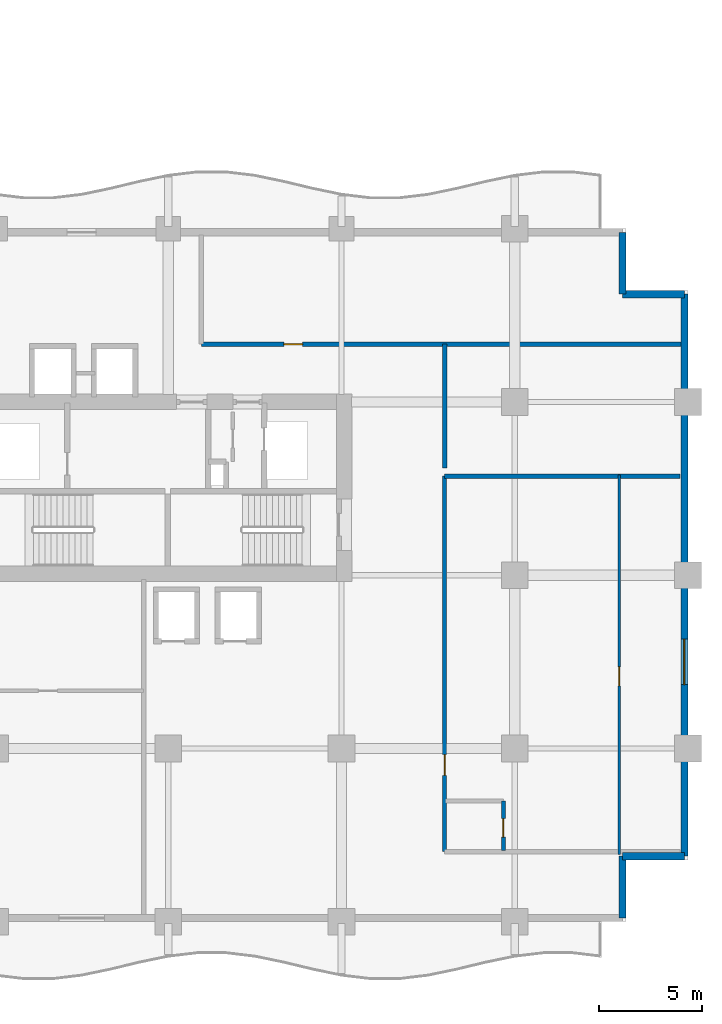
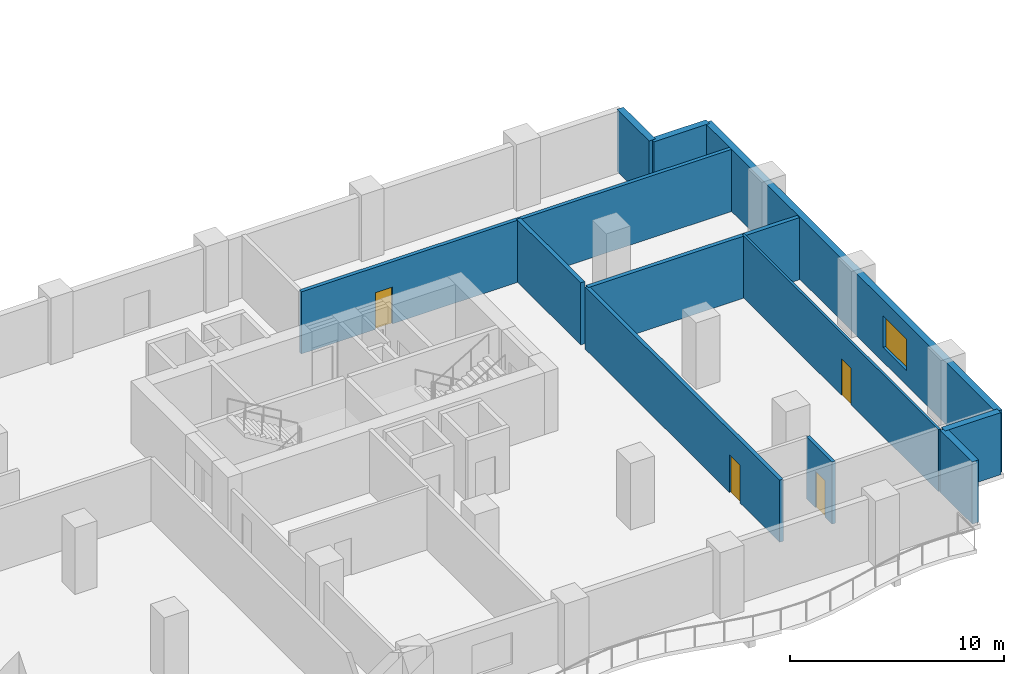
# One storey, part 8 of 15: 11 walls, 4 doors, 1 window, 5 openings.
"""IFC4 building model written with IfcOpenShell, lengths in metres."""

from ifc_helpers import new_model, si_unit, direction, frame, frame_2d, origin, place, context, subcontext, project, spatial, rectangle, extrude, material, layer, layer_set, type_object, element, fill, save


model = new_model("IFC4")

# Units and contexts
model_context = context("Model", 3, precision=1e-05, world=origin(), true_north=direction((0.0, 1.0)))
body_context = subcontext(model_context, "Body", "Model", "MODEL_VIEW")
ifc_project = project(units=[si_unit("LENGTHUNIT", "METRE"), si_unit("AREAUNIT", "SQUARE_METRE"), si_unit("VOLUMEUNIT", "CUBIC_METRE"), si_unit("PLANEANGLEUNIT", "RADIAN"), si_unit("MASSUNIT", "GRAM", prefix="KILO")], contexts=[model_context])

# Site, building, storey
site_placement = place(None, origin())
site = spatial("IfcSite", under=ifc_project, at=site_placement, CompositionType="ELEMENT")
building_placement = place(site_placement, origin())
building = spatial("IfcBuilding", under=site, at=building_placement, Name="Koriwani Terraces Tower", CompositionType="ELEMENT")
storey_placement = place(building_placement, frame((0.0, 0.0, 138.0)))
storey = spatial("IfcBuildingStorey", under=building, at=storey_placement, Name="L33", CompositionType="ELEMENT", Elevation=138.0)

# Wall, opening, door
ifc_material_1 = material(Name="Autoclaved Cellular Concrete Blockwork", Category="masonry")
ifc_layer_1 = layer(ifc_material_1, 0.199951171875, Name="Autoclaved Cellular Concrete Blockwork")
ifc_layer_set_1 = layer_set([ifc_layer_1], Name="Autoclaved Cellular Concrete Blockwork")
wall_type_1 = type_object("IfcWallType", Name="WALL_CORRIDOR_200", PredefinedType="PARTITIONING", material=ifc_layer_set_1)
wall_1_placement = place(storey_placement, frame((63.800048828125, 3.39990234375, 0.0), z_axis=(0.0, 0.0, 1.0), x_axis=(0.0, 1.0, 0.0)))
wall_1 = element("IfcWall", 1, at=wall_1_placement, inside=storey, type_object=wall_type_1, Name="L33 Interior Wall WGB-L33-SETIP-W", PredefinedType="PARTITIONING", context=body_context, shape_type="SweptSolid", body=[
    extrude(rectangle(XDim=18.2001953125, YDim=0.199951171875, at=frame_2d((9.10009765625, 0.0))), origin(), (0.0, 0.0, 1.0), 3.550048828125),
])
opening_1_placement = place(wall_1_placement, frame((3.699951171875, 0.0, 0.0)))
opening_1 = element("IfcOpeningElement", 2, at=opening_1_placement, cuts=wall_1, Name="Opening D-05", PredefinedType="OPENING", context=body_context, shape_type="SweptSolid", body=[
    extrude(rectangle(XDim=1.0, YDim=2.14990234375, at=frame_2d((0.5, 1.074951171875))), frame((0.0, 0.10986328125, 0.0), z_axis=(0.0, -1.0, 0.0), x_axis=(1.0, 0.0, 0.0)), (0.0, 0.0, 1.0), 0.219970703125),
])
ifc_material_2 = material(Name="Architectural Oak Fire Door", Category="wood")
door_type_1 = type_object("IfcDoorType", Name="DOOR_SUITE_ENTRY_1000X2150", OperationType="NOTDEFINED", PredefinedType="DOOR", material=ifc_material_2)
door_1_placement = place(opening_1_placement, origin())
door_1 = element("IfcDoor", 3, at=door_1_placement, inside=storey, type_object=door_type_1, Name="Ambassador Suite 33ET Entrance Door", OperationType="SINGLE_SWING_LEFT", OverallHeight=2.14990234375, OverallWidth=1.0, PredefinedType="DOOR", context=body_context, shape_type="SweptSolid", body=[
    extrude(rectangle(XDim=1.0, YDim=2.14990234375, at=frame_2d((0.5, 1.074951171875))), frame((0.0, 0.02490234375, 0.0), z_axis=(0.0, -1.0, 0.0), x_axis=(1.0, 0.0, 0.0)), (0.0, 0.0, 1.0), 0.050048828125),
])
fill(opening_1, door_1)

wall_2_placement = place(storey_placement, frame((52.0, 28.0, 0.0), z_axis=(0.0, 0.0, 1.0), x_axis=(1.0, 0.0, 0.0)))
wall_2 = element("IfcWall", 4, at=wall_2_placement, inside=storey, type_object=wall_type_1, Name="L33 Interior Wall WSET2-S-L33", PredefinedType="PARTITIONING", context=body_context, shape_type="SweptSolid", body=[
    extrude(rectangle(XDim=23.25, YDim=0.199951171875, at=frame_2d((11.625, 0.0))), origin(), (0.0, 0.0, 1.0), 3.550048828125),
])
opening_2_placement = place(wall_2_placement, frame((4.0, 0.0, 0.0)))
opening_2 = element("IfcOpeningElement", 5, at=opening_2_placement, cuts=wall_2, Name="Opening D-06", PredefinedType="OPENING", context=body_context, shape_type="SweptSolid", body=[
    extrude(rectangle(XDim=0.919921875, YDim=2.10009765625, at=frame_2d((0.4599609375, 1.050048828125))), frame((0.0, 0.10986328125, 0.0), z_axis=(0.0, -1.0, 0.0), x_axis=(1.0, 0.0, 0.0)), (0.0, 0.0, 1.0), 0.219970703125),
])
door_type_2 = type_object("IfcDoorType", Name="DOOR_ROOM_INT_920X2100", OperationType="NOTDEFINED", PredefinedType="DOOR", material=ifc_material_2)
door_2_placement = place(opening_2_placement, origin())
door_2 = element("IfcDoor", 6, at=door_2_placement, inside=storey, type_object=door_type_2, Name="L33 East Court Salon Door", OperationType="SINGLE_SWING_RIGHT", OverallHeight=2.10009765625, OverallWidth=0.919921875, PredefinedType="DOOR", context=body_context, shape_type="SweptSolid", body=[
    extrude(rectangle(XDim=0.919921875, YDim=2.10009765625, at=frame_2d((0.4599609375, 1.050048828125))), frame((0.0, 0.02490234375, 0.0), z_axis=(0.0, -1.0, 0.0), x_axis=(1.0, 0.0, 0.0)), (0.0, 0.0, 1.0), 0.050048828125),
])
fill(opening_2, door_2)

# Walls
ifc_layer_2 = layer(ifc_material_1, 0.219970703125, Name="Autoclaved Cellular Concrete Blockwork")
ifc_layer_set_2 = layer_set([ifc_layer_2], Name="Autoclaved Cellular Concrete Blockwork")
wall_type_2 = type_object("IfcWallType", Name="WALL_DEMISING_220", PredefinedType="PARTITIONING", material=ifc_layer_set_2)
wall_3_placement = place(storey_placement, frame((63.800048828125, 21.60009765625, 0.0), z_axis=(0.0, 0.0, 1.0), x_axis=(1.0, 0.0, 0.0)))
element("IfcWall", 7, at=wall_3_placement, inside=storey, type_object=wall_type_2, Name="L33 Interior Wall WGB-L33-SETIP-N", PredefinedType="PARTITIONING", context=body_context, shape_type="SweptSolid", body=[
    extrude(rectangle(XDim=11.419921875, YDim=0.219970703125, at=frame_2d((5.7099609375, 0.0))), origin(), (0.0, 0.0, 1.0), 3.550048828125),
])
wall_4_placement = place(storey_placement, frame((63.800048828125, 22.0, 0.0), z_axis=(0.0, 0.0, 1.0), x_axis=(0.0, 1.0, 0.0)))
element("IfcWall", 8, at=wall_4_placement, inside=storey, type_object=wall_type_2, Name="L33 Interior Wall WSET2-SW-L33", PredefinedType="PARTITIONING", context=body_context, shape_type="SweptSolid", body=[
    extrude(rectangle(XDim=6.0, YDim=0.219970703125, at=frame_2d((3.0, 0.0))), origin(), (0.0, 0.0, 1.0), 3.550048828125),
])
ifc_material_3 = material(Name="Concrete C50/60", Category="concrete")
ifc_layer_3 = layer(ifc_material_3, 0.35009765625, Name="Concrete C50/60")
ifc_layer_set_3 = layer_set([ifc_layer_3], Name="Concrete C50/60")
wall_type_3 = type_object("IfcWallType", Name="WALL_EXT_BRUTALIST_350", PredefinedType="STANDARD", material=ifc_layer_set_3)
for number, where, z_axis, x_axis, name in (
    (9, (72.425048828125, 33.425048828125, 0.0), (0.0, 0.0, 1.0), (0.0, -1.0, 0.0), "L33 Fair-Faced Brutalist Exterior Wall (N10)"),
    (10, (72.425048828125, 30.425048828125, 0.0), (0.0, 0.0, 1.0), (1.0, 0.0, 0.0), "L33 Fair-Faced Brutalist Exterior Wall (N11)"),
):
    element("IfcWall", number, at=place(storey_placement, frame(where, z_axis=z_axis, x_axis=x_axis)), inside=storey, type_object=wall_type_3, Name=name, PredefinedType="STANDARD", context=body_context, shape_type="SweptSolid", body=[
        extrude(rectangle(XDim=3.0, YDim=0.35009765625, at=frame_2d((1.5, 0.0))), origin(), (0.0, 0.0, 1.0), 3.550048828125),
    ])

# Wall, opening, window
wall_5_placement = place(storey_placement, frame((75.425048828125, 30.425048828125, 0.0), z_axis=(0.0, 0.0, 1.0), x_axis=(0.0, -1.0, 0.0)))
wall_5 = element("IfcWall", 11, at=wall_5_placement, inside=storey, type_object=wall_type_3, Name="L33 Fair-Faced Brutalist Exterior Wall (E_TIP)", PredefinedType="STANDARD", context=body_context, shape_type="SweptSolid", body=[
    extrude(rectangle(XDim=27.25, YDim=0.35009765625, at=frame_2d((13.625, 0.0))), origin(), (0.0, 0.0, 1.0), 3.550048828125),
])
opening_3_placement = place(wall_5_placement, frame((16.72509765625, 0.0, 0.85009765625)))
opening_3 = element("IfcOpeningElement", 12, at=opening_3_placement, cuts=wall_5, Name="Opening W-01", PredefinedType="OPENING", context=body_context, shape_type="SweptSolid", body=[
    extrude(rectangle(XDim=2.199951171875, YDim=1.800048828125, at=frame_2d((1.10009765625, 0.89990234375))), frame((0.0, 0.18505859375, 0.0), z_axis=(0.0, -1.0, 0.0), x_axis=(1.0, 0.0, 0.0)), (0.0, 0.0, 1.0), 0.3701171875),
])
ifc_material_4 = material(Name="Tempered Laminated Low-E Glass", Category="glass")
window_type = type_object("IfcWindowType", Name="WIN_HOTEL_STD_2200X1800", PartitioningType="DOUBLE_PANEL_VERTICAL", PredefinedType="WINDOW", material=ifc_material_4)
window_placement = place(opening_3_placement, origin())
window = element("IfcWindow", 13, at=window_placement, inside=storey, type_object=window_type, Name="L33 Exterior Window (E_TIP-3)", OverallHeight=1.800048828125, OverallWidth=2.199951171875, PartitioningType="SINGLE_PANEL", PredefinedType="WINDOW", context=body_context, shape_type="SweptSolid", body=[
    extrude(rectangle(XDim=2.199951171875, YDim=1.800048828125, at=frame_2d((1.10009765625, 0.89990234375))), frame((0.0, 0.030029296875, 0.0), z_axis=(0.0, -1.0, 0.0), x_axis=(1.0, 0.0, 0.0)), (0.0, 0.0, 1.0), 0.06005859375),
])
fill(opening_3, window)

# Walls
for number, where, z_axis, x_axis, name in (
    (14, (75.425048828125, 3.175048828125, 0.0), (0.0, 0.0, 1.0), (-1.0, 0.0, 0.0), "L33 Fair-Faced Brutalist Exterior Wall (N13)"),
    (15, (72.425048828125, 3.175048828125, 0.0), (0.0, 0.0, 1.0), (0.0, -1.0, 0.0), "L33 Fair-Faced Brutalist Exterior Wall (N14)"),
):
    element("IfcWall", number, at=place(storey_placement, frame(where, z_axis=z_axis, x_axis=x_axis)), inside=storey, type_object=wall_type_3, Name=name, PredefinedType="STANDARD", context=body_context, shape_type="SweptSolid", body=[
        extrude(rectangle(XDim=3.0, YDim=0.35009765625, at=frame_2d((1.5, 0.0))), origin(), (0.0, 0.0, 1.0), 3.550048828125),
    ])

# Wall, opening, door
ifc_material_5 = material(Name="Fire-Rated Acoustic Gypsum Partition", Category="masonry")
ifc_layer_4 = layer(ifc_material_5, 0.125, Name="Fire-Rated Acoustic Gypsum Partition")
ifc_layer_set_4 = layer_set([ifc_layer_4], Name="Fire-Rated Acoustic Gypsum Partition")
wall_type_4 = type_object("IfcWallType", Name="WALL_INT_125", PredefinedType="PARTITIONING", material=ifc_layer_set_4)
wall_6_placement = place(storey_placement, frame((72.27001953125, 3.25, 0.0), z_axis=(0.0, 0.0, 1.0), x_axis=(0.0, 1.0, 0.0)))
wall_6 = element("IfcWall", 16, at=wall_6_placement, inside=storey, type_object=wall_type_4, Name="L33 Interior Wall WGB-L33-SETIP-BD", PredefinedType="PARTITIONING", context=body_context, shape_type="SweptSolid", body=[
    extrude(rectangle(XDim=18.39990234375, YDim=0.125, at=frame_2d((9.199951171875, 0.0))), origin(), (0.0, 0.0, 1.0), 3.550048828125),
])
opening_4_placement = place(wall_6_placement, frame((8.18994140625, 0.0, 0.0)))
opening_4 = element("IfcOpeningElement", 17, at=opening_4_placement, cuts=wall_6, Name="Opening D-06", PredefinedType="OPENING", context=body_context, shape_type="SweptSolid", body=[
    extrude(rectangle(XDim=0.919921875, YDim=2.10009765625, at=frame_2d((0.4599609375, 1.050048828125))), frame((0.0, 0.072509765625, 0.0), z_axis=(0.0, -1.0, 0.0), x_axis=(1.0, 0.0, 0.0)), (0.0, 0.0, 1.0), 0.14501953125),
])
door_3_placement = place(opening_4_placement, origin())
door_3 = element("IfcDoor", 18, at=door_3_placement, inside=storey, type_object=door_type_2, Name="Ambassador Suite 33ET Master Suite Door", OperationType="SINGLE_SWING_LEFT", OverallHeight=2.10009765625, OverallWidth=0.919921875, PredefinedType="DOOR", context=body_context, shape_type="SweptSolid", body=[
    extrude(rectangle(XDim=0.919921875, YDim=2.10009765625, at=frame_2d((0.4599609375, 1.050048828125))), frame((0.0, 0.02490234375, 0.0), z_axis=(0.0, -1.0, 0.0), x_axis=(1.0, 0.0, 0.0)), (0.0, 0.0, 1.0), 0.050048828125),
])
fill(opening_4, door_3)

ifc_layer_5 = layer(ifc_material_5, 0.179931640625, Name="Fire-Rated Acoustic Gypsum Partition")
ifc_layer_set_5 = layer_set([ifc_layer_5], Name="Fire-Rated Acoustic Gypsum Partition")
wall_type_5 = type_object("IfcWallType", Name="WALL_PLUMBING_180", PredefinedType="PLUMBINGWALL", material=ifc_layer_set_5)
wall_7_placement = place(storey_placement, frame((66.64990234375, 3.449951171875, 0.0), z_axis=(0.0, 0.0, 1.0), x_axis=(0.0, 1.0, 0.0)))
wall_7 = element("IfcWall", 19, at=wall_7_placement, inside=storey, type_object=wall_type_5, Name="L33 Interior Wall WGB-L33-SETIP-SVB", PredefinedType="PLUMBINGWALL", context=body_context, shape_type="SweptSolid", body=[
    extrude(rectangle(XDim=2.400146484375, YDim=0.179931640625, at=frame_2d((1.2001953125, 0.0))), origin(), (0.0, 0.0, 1.0), 3.550048828125),
])
opening_5_placement = place(wall_7_placement, frame((0.64990234375, 0.0, 0.0)))
opening_5 = element("IfcOpeningElement", 20, at=opening_5_placement, cuts=wall_7, Name="Opening D-07", PredefinedType="OPENING", context=body_context, shape_type="SweptSolid", body=[
    extrude(rectangle(XDim=0.89990234375, YDim=2.10009765625, at=frame_2d((0.449951171875, 1.050048828125))), frame((0.0, 0.10009765625, 0.0), z_axis=(0.0, -1.0, 0.0), x_axis=(1.0, 0.0, 0.0)), (0.0, 0.0, 1.0), 0.199951171875),
])
door_type_3 = type_object("IfcDoorType", Name="DOOR_BATH_INT_900X2100", OperationType="NOTDEFINED", PredefinedType="DOOR", material=ifc_material_2)
door_4_placement = place(opening_5_placement, origin())
door_4 = element("IfcDoor", 21, at=door_4_placement, inside=storey, type_object=door_type_3, Name="Ambassador Suite 33ET Bathroom Door", OperationType="SINGLE_SWING_RIGHT", OverallHeight=2.10009765625, OverallWidth=0.89990234375, PredefinedType="DOOR", context=body_context, shape_type="SweptSolid", body=[
    extrude(rectangle(XDim=0.89990234375, YDim=2.10009765625, at=frame_2d((0.449951171875, 1.050048828125))), frame((0.0, 0.02490234375, 0.0), z_axis=(0.0, -1.0, 0.0), x_axis=(1.0, 0.0, 0.0)), (0.0, 0.0, 1.0), 0.050048828125),
])
fill(opening_5, door_4)

save(model, "model.ifc")
